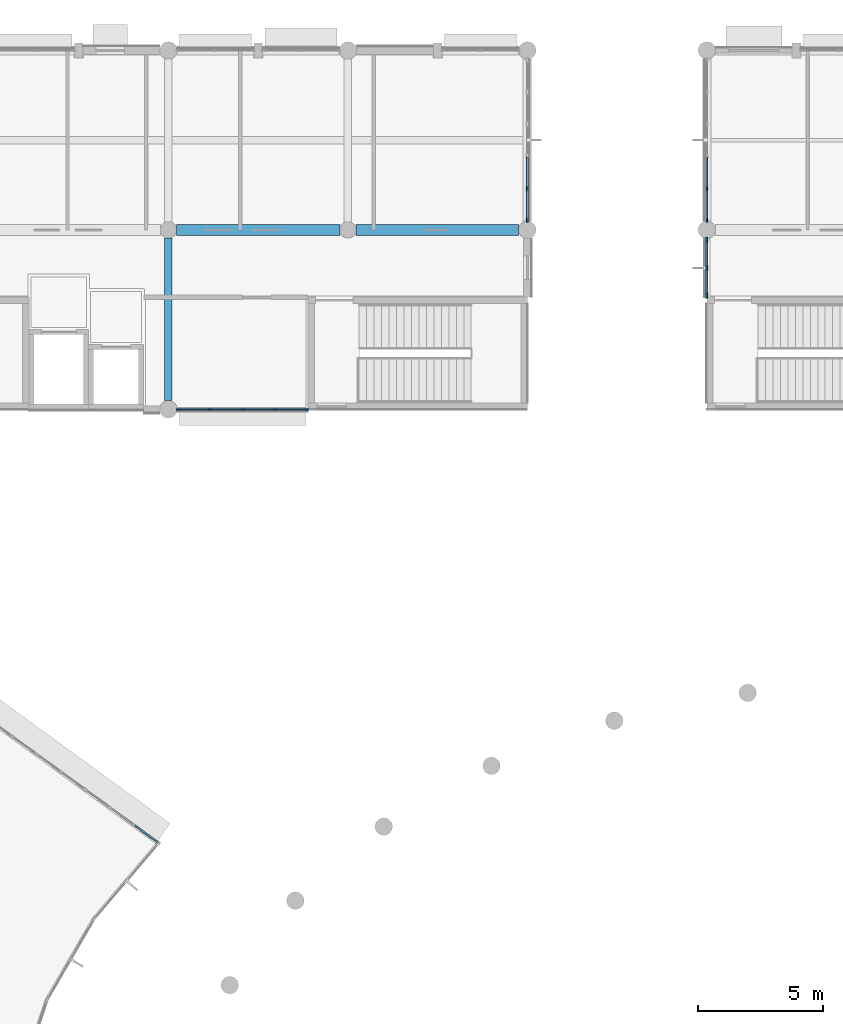
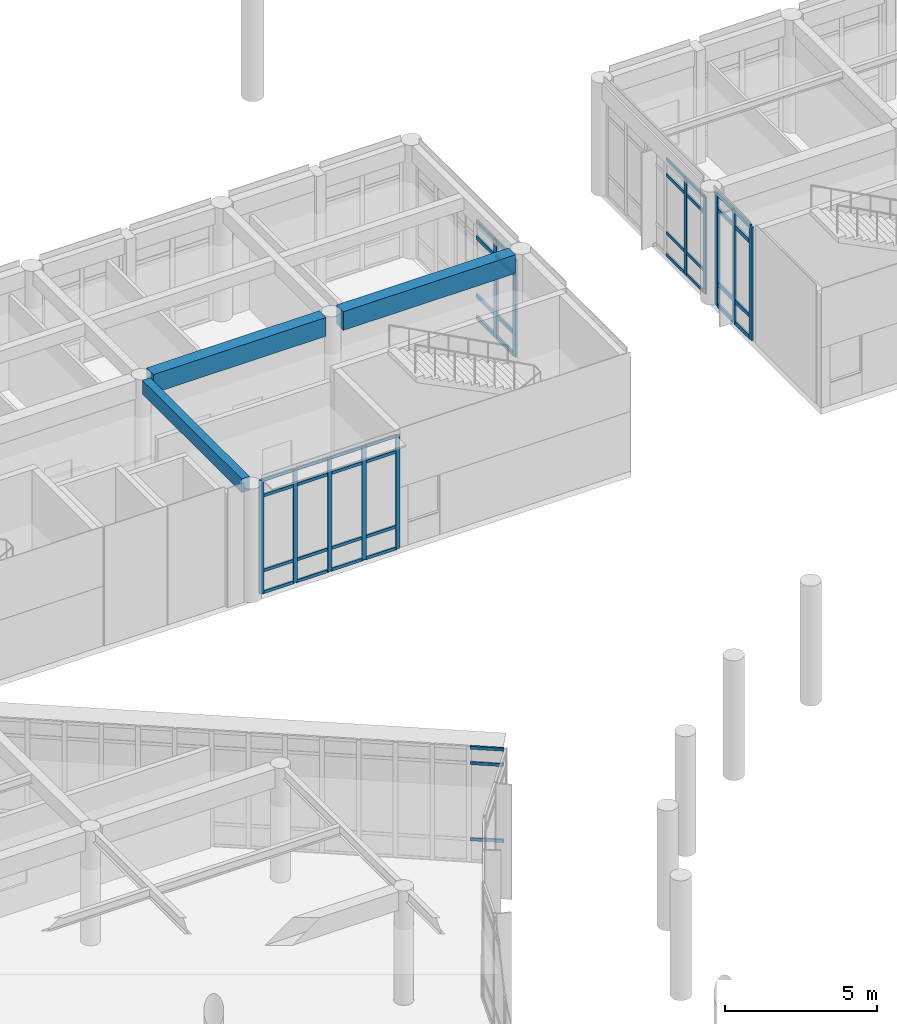
# One storey, part 23 of 92: 55 members, 3 beams, 5 elements without a shape of their own.
"""IFC4 building model written with IfcOpenShell, lengths in metres."""

import ifcopenshell
import ifcopenshell.guid

model = None  # the IFC model being written
_history = None  # IfcOwnerHistory: only IFC2X3 demands one
_inside = {}  # id of a spatial element -> (the spatial element, [elements in it])
_under = {}  # id of a project, library or spatial element -> (it, [spatial elements below it])
_declared = {}  # id of a project -> (the project, [libraries it declares])
_typed = {}  # id of a type object -> (the type object, [elements of that type])
_made_of = {}  # id of a material, layer set ... -> (it, [elements and type objects made of it])


def new_model(schema):
    """Start an empty IFC model of exactly this schema.

    Asked for "IFC4X3", IfcOpenShell would pick the latest addendum, in which some entities
    have other attributes; the version numbers below select the first issue.
    IFC2X3 requires an IfcOwnerHistory on every rooted entity: one is made here for all.
    """
    global model, _history
    if schema == "IFC4X3":
        model = ifcopenshell.file(schema_version=(4, 3, 0, 0))
    else:
        model = ifcopenshell.file(schema=schema)
    _inside.clear()
    _under.clear()
    _declared.clear()
    _typed.clear()
    _made_of.clear()
    _history = None
    if model.schema == "IFC2X3":
        org = make("IfcOrganization", Name="unknown")
        user = make(
            "IfcPersonAndOrganization",
            ThePerson=make("IfcPerson", FamilyName="unknown"),
            TheOrganization=org,
        )
        app = make(
            "IfcApplication",
            ApplicationDeveloper=org,
            Version="unknown",
            ApplicationFullName="unknown",
            ApplicationIdentifier="unknown",
        )
        _history = make(
            "IfcOwnerHistory",
            OwningUser=user,
            OwningApplication=app,
            ChangeAction="ADDED",
            CreationDate=0,
        )
    return model


def make(cls, **values):
    """One entity of the class cls with the attributes given. An attribute that is None is left unset."""
    return model.create_entity(
        cls, **{name: value for name, value in values.items() if value is not None}
    )


def rooted(cls, **values):
    """An entity with a GlobalId (a new one), such as an element, a storey or a relation."""
    return make(cls, GlobalId=ifcopenshell.guid.new(), OwnerHistory=_history, **values)


def si_unit(unit_type, name, prefix=None):
    """IfcSIUnit, for example si_unit("LENGTHUNIT", "METRE", prefix="MILLI")."""
    return make("IfcSIUnit", UnitType=unit_type, Prefix=prefix, Name=name)


def assignment(units):
    """IfcUnitAssignment: the units of a project."""
    return None if units is None else make("IfcUnitAssignment", Units=units)


def point(xyz):
    """IfcCartesianPoint."""
    return None if xyz is None else make("IfcCartesianPoint", Coordinates=xyz)


def direction(xyz):
    """IfcDirection."""
    return None if xyz is None else make("IfcDirection", DirectionRatios=xyz)


def frame(location, z_axis=None, x_axis=None):
    """IfcAxis2Placement3D, a coordinate frame: its origin and axes. An axis left out is left unset."""
    return make(
        "IfcAxis2Placement3D",
        Location=point(location),
        Axis=direction(z_axis),
        RefDirection=direction(x_axis),
    )


def frame_2d(location, x_axis=None):
    """IfcAxis2Placement2D, a coordinate frame in the plane: its origin and x axis."""
    return make(
        "IfcAxis2Placement2D", Location=point(location), RefDirection=direction(x_axis)
    )


def origin():
    """The frame at (0, 0, 0) with its axes left unset."""
    return frame((0.0, 0.0, 0.0))


def origin_2d():
    """The frame at (0, 0) in the plane with its x axis left unset."""
    return frame_2d((0.0, 0.0))


def place(relative_to, where):
    """IfcLocalPlacement: puts the frame where relative to a parent placement (None: the world)."""
    return make(
        "IfcLocalPlacement", PlacementRelTo=relative_to, RelativePlacement=where
    )


def context(
    kind, dimensions, precision=None, world=None, true_north=None, identifier=None
):
    """IfcGeometricRepresentationContext, for example the 3D "Model" context."""
    return make(
        "IfcGeometricRepresentationContext",
        ContextIdentifier=identifier,
        ContextType=kind,
        CoordinateSpaceDimension=dimensions,
        Precision=precision,
        WorldCoordinateSystem=world,
        TrueNorth=true_north,
    )


def subcontext(parent, identifier, kind, view, scale=None):
    """IfcGeometricRepresentationSubContext, for example "Body" below "Model"."""
    return make(
        "IfcGeometricRepresentationSubContext",
        ContextIdentifier=identifier,
        ContextType=kind,
        ParentContext=parent,
        TargetScale=scale,
        TargetView=view,
    )


def project(units=None, contexts=None):
    """IfcProject with its units and contexts."""
    return rooted(
        "IfcProject",
        Name="project",
        RepresentationContexts=contexts,
        UnitsInContext=assignment(units),
    )


def spatial(cls, under=None, at=None, **own):
    """A site, building, storey or space (cls), placed at a placement, below another one or the project."""
    s = rooted(cls, ObjectPlacement=at, **own)
    if under is not None:
        _under.setdefault(under.id(), (under, []))[1].append(s)
    return s


def profile(cls, at=None, kind="AREA", **sizes):
    """A parametric profile (cls). Its sizes go by their IFC names, for example OverallWidth=200.0."""
    return make(cls, ProfileType=kind, Position=at, **sizes)


def rectangle(**sizes):
    """IfcRectangleProfileDef."""
    return profile("IfcRectangleProfileDef", **sizes)


def extrude(swept, where, along, depth):
    """IfcExtrudedAreaSolid: the profile swept, set in the frame where, extruded along a direction by depth."""
    return make(
        "IfcExtrudedAreaSolid",
        SweptArea=swept,
        Position=where,
        ExtrudedDirection=direction(along),
        Depth=depth,
    )


def shape(context_of_items, identifier, shape_type, items):
    """IfcShapeRepresentation: the items that make up one representation, for example the "Body"."""
    return make(
        "IfcShapeRepresentation",
        ContextOfItems=context_of_items,
        RepresentationIdentifier=identifier,
        RepresentationType=shape_type,
        Items=items,
    )


def material(Name=None, Category=None):
    """IfcMaterial."""
    return make("IfcMaterial", Name=Name, Category=Category)


def layer(
    of_material, thickness, ventilated=None, Name=None, Category=None, Priority=None
):
    """IfcMaterialLayer: one layer of a wall or slab, of a material (None: an air gap)."""
    return make(
        "IfcMaterialLayer",
        Material=of_material,
        LayerThickness=thickness,
        IsVentilated=ventilated,
        Name=Name,
        Category=Category,
        Priority=Priority,
    )


def layer_set(layers, Name=None):
    """IfcMaterialLayerSet."""
    return make("IfcMaterialLayerSet", MaterialLayers=layers, LayerSetName=Name)


def material_profile(
    of_material, cross_section, Name=None, Category=None, Priority=None
):
    """IfcMaterialProfile: a cross section and its material."""
    return make(
        "IfcMaterialProfile",
        Name=Name,
        Material=of_material,
        Profile=cross_section,
        Priority=Priority,
        Category=Category,
    )


def profile_set(profiles, Name=None, composite=None):
    """IfcMaterialProfileSet."""
    return make(
        "IfcMaterialProfileSet",
        Name=Name,
        MaterialProfiles=profiles,
        CompositeProfile=composite,
    )


def made_of(thing, what):
    """Note that an element or type object is made of a material, layer set ...; save() writes the relation."""
    if what is not None:
        _made_of.setdefault(what.id(), (what, []))[1].append(thing)
    return thing


def type_object(cls, material=None, **own):
    """A type object (cls), such as IfcWallType, which elements share."""
    return made_of(rooted(cls, **own), material)


def element(
    cls,
    number,
    at=None,
    inside=None,
    cuts=None,
    type_object=None,
    material=None,
    context=None,
    identifier="Body",
    shape_type=None,
    held_by="IfcProductDefinitionShape",
    body=None,
    shapes=None,
    **own,
):
    """One element of the class cls, such as IfcWall. Its Tag is "e" and its number.

    at: its placement. inside: the storey or other place that contains it. cuts: it is an
    opening in that element (IfcRelVoidsElement). A single representation is given by context,
    identifier, shape_type and body (its items); several are given by shapes. held_by: the class
    of the entity that holds the representations. save() writes the other relations.
    """
    e = rooted(cls, Tag="e%d" % number, ObjectPlacement=at, **own)
    if body is not None:
        shapes = [shape(context, identifier, shape_type, body)]
    if shapes is not None:
        e.Representation = make(held_by, Representations=shapes)
    if inside is not None:
        _inside.setdefault(inside.id(), (inside, []))[1].append(e)
    if cuts is not None:
        rooted(
            "IfcRelVoidsElement", RelatingBuildingElement=cuts, RelatedOpeningElement=e
        )
    if type_object is not None:
        _typed.setdefault(type_object.id(), (type_object, []))[1].append(e)
    return made_of(e, material)


def aggregate(whole, parts):
    """IfcRelAggregates: a whole, such as a stair, and the parts it consists of."""
    return rooted("IfcRelAggregates", RelatingObject=whole, RelatedObjects=parts)


def save(model, path):
    """Write the relations noted so far, then the file.

    IfcRelAggregates (storeys below a building ...), IfcRelContainedInSpatialStructure (elements
    in a storey), IfcRelDefinesByType, IfcRelAssociatesMaterial and IfcRelDeclares: one each for
    every whole, place, type object, material and project.
    """
    for whole, parts in _under.values():
        aggregate(whole, parts)
    for where, things in _inside.values():
        rooted(
            "IfcRelContainedInSpatialStructure",
            RelatedElements=things,
            RelatingStructure=where,
        )
    for kind, things in _typed.values():
        rooted("IfcRelDefinesByType", RelatedObjects=things, RelatingType=kind)
    for what, things in _made_of.values():
        rooted("IfcRelAssociatesMaterial", RelatedObjects=things, RelatingMaterial=what)
    for by, libraries in _declared.values():
        rooted("IfcRelDeclares", RelatingContext=by, RelatedDefinitions=libraries)
    model.write(path)


model = new_model("IFC4")

# Units and contexts
model_context = context("Model", 3, precision=1e-05, world=origin(), true_north=direction((0.0, 1.0)))
body_context = subcontext(model_context, "Body", "Model", "MODEL_VIEW")
ifc_project = project(units=[si_unit("LENGTHUNIT", "METRE"), si_unit("AREAUNIT", "SQUARE_METRE"), si_unit("VOLUMEUNIT", "CUBIC_METRE"), si_unit("PLANEANGLEUNIT", "RADIAN"), si_unit("MASSUNIT", "GRAM", prefix="KILO")], contexts=[model_context])

# Site, building, storey
site_placement = place(None, origin())
site = spatial("IfcSite", under=ifc_project, at=site_placement, CompositionType="ELEMENT")
building_placement = place(site_placement, origin())
building = spatial("IfcBuilding", under=site, at=building_placement, Name="Namkhue Oval Health Centre", CompositionType="ELEMENT")
storey_placement = place(building_placement, frame((0.0, 0.0, 4.800048828125)))
storey = spatial("IfcBuildingStorey", under=building, at=storey_placement, Name="L01", CompositionType="ELEMENT", Elevation=4.800048828125)

# Curtain wall, members
ifc_material_1 = material(Name="Anodised aluminium EN AW-6063 T6", Category="aluminium")
ifc_layer_1 = layer(ifc_material_1, 0.159912109375)
ifc_layer_set_1 = layer_set([ifc_layer_1], Name="Anodised aluminium EN AW-6063 T6")
curtain_wall_type_1 = type_object("IfcCurtainWallType", Name="UNITISED CURTAIN WALL M1200", PredefinedType="NOTDEFINED", material=ifc_layer_set_1)
curtain_wall_1_placement = place(storey_placement, origin())
curtain_wall_1 = element("IfcCurtainWall", 1, at=curtain_wall_1_placement, inside=storey, type_object=curtain_wall_type_1, Name="Volume V2 L01 Unitised Curtain Wall 49", PredefinedType="NOTDEFINED")
ifc_material_profile_1 = material_profile(ifc_material_1, rectangle(XDim=0.06494140625, YDim=0.159912109375, at=origin_2d()), Name="ALU 65x160")
ifc_profile_set_1 = profile_set([ifc_material_profile_1], Name="Anodised aluminium EN AW-6063 T6")
member_type_1 = type_object("IfcMemberType", Name="CURTAIN WALL MULLION 65X160", PredefinedType="MULLION", material=ifc_profile_set_1)
member_1_placement = place(storey_placement, frame((72.392578125, 90.0, 0.0), z_axis=(0.0, 0.0, 1.0), x_axis=(0.0, 1.0, 0.0)))
member_1 = element("IfcMember", 2, at=member_1_placement, type_object=member_type_1, Name="CW-01 mullion 1", PredefinedType="MULLION", context=body_context, shape_type="SweptSolid", body=[
    extrude(rectangle(XDim=0.06494140625, YDim=0.159912109375, at=origin_2d()), origin(), (0.0, 0.0, 1.0), 4.554931640625),
])
member_2_placement = place(storey_placement, frame((73.665771484375, 90.0, 0.0), z_axis=(0.0, 0.0, 1.0), x_axis=(0.0, 1.0, 0.0)))
member_2 = element("IfcMember", 3, at=member_2_placement, type_object=member_type_1, Name="CW-01 mullion 2", PredefinedType="MULLION", context=body_context, shape_type="SweptSolid", body=[
    extrude(rectangle(XDim=0.06494140625, YDim=0.159912109375, at=origin_2d()), origin(), (0.0, 0.0, 1.0), 4.554931640625),
])
member_3_placement = place(storey_placement, frame((74.971435546875, 90.0, 0.0), z_axis=(0.0, 0.0, 1.0), x_axis=(0.0, 1.0, 0.0)))
member_3 = element("IfcMember", 4, at=member_3_placement, type_object=member_type_1, Name="CW-01 mullion 3", PredefinedType="MULLION", context=body_context, shape_type="SweptSolid", body=[
    extrude(rectangle(XDim=0.06494140625, YDim=0.159912109375, at=origin_2d()), origin(), (0.0, 0.0, 1.0), 4.554931640625),
])
member_4_placement = place(storey_placement, frame((76.27734375, 90.0, 0.0), z_axis=(0.0, 0.0, 1.0), x_axis=(0.0, 1.0, 0.0)))
member_4 = element("IfcMember", 5, at=member_4_placement, type_object=member_type_1, Name="CW-01 mullion 4", PredefinedType="MULLION", context=body_context, shape_type="SweptSolid", body=[
    extrude(rectangle(XDim=0.06494140625, YDim=0.159912109375, at=origin_2d()), origin(), (0.0, 0.0, 1.0), 4.554931640625),
])
member_5_placement = place(storey_placement, frame((77.550537109375, 90.0, 0.0), z_axis=(0.0, 0.0, 1.0), x_axis=(0.0, 1.0, 0.0)))
member_5 = element("IfcMember", 6, at=member_5_placement, type_object=member_type_1, Name="CW-01 mullion 5", PredefinedType="MULLION", context=body_context, shape_type="SweptSolid", body=[
    extrude(rectangle(XDim=0.06494140625, YDim=0.159912109375, at=origin_2d()), origin(), (0.0, 0.0, 1.0), 4.554931640625),
])

curtain_wall_2_placement = place(storey_placement, origin())
curtain_wall_2 = element("IfcCurtainWall", 7, at=curtain_wall_2_placement, inside=storey, type_object=curtain_wall_type_1, Name="Volume V3 L01 Unitised Curtain Wall 109", PredefinedType="NOTDEFINED")
member_6_placement = place(storey_placement, frame((93.60009765625, 98.85595703125, 0.0), z_axis=(0.0, 0.0, 1.0), x_axis=(1.0, 0.0, 0.0)))
member_6 = element("IfcMember", 8, at=member_6_placement, type_object=member_type_1, Name="CW-01 mullion 5", PredefinedType="MULLION", context=body_context, shape_type="SweptSolid", body=[
    extrude(rectangle(XDim=0.06494140625, YDim=0.159912109375, at=origin_2d()), origin(), (0.0, 0.0, 1.0), 3.8798828125),
])
member_7_placement = place(storey_placement, frame((93.60009765625, 97.592529296875, 0.0), z_axis=(0.0, 0.0, 1.0), x_axis=(1.0, 0.0, 0.0)))
member_7 = element("IfcMember", 9, at=member_7_placement, type_object=member_type_1, Name="CW-01 mullion 6", PredefinedType="MULLION", context=body_context, shape_type="SweptSolid", body=[
    extrude(rectangle(XDim=0.06494140625, YDim=0.159912109375, at=origin_2d()), origin(), (0.0, 0.0, 1.0), 3.8798828125),
])

ifc_layer_2 = layer(ifc_material_1, 0.159912109375)
ifc_layer_set_2 = layer_set([ifc_layer_2], Name="Anodised aluminium EN AW-6063 T6")
curtain_wall_type_2 = type_object("IfcCurtainWallType", Name="UNITISED CURTAIN WALL M1350", PredefinedType="NOTDEFINED", material=ifc_layer_set_2)
curtain_wall_3_placement = place(storey_placement, origin())
curtain_wall_3 = element("IfcCurtainWall", 10, at=curtain_wall_3_placement, inside=storey, type_object=curtain_wall_type_2, Name="Volume V2 L01 Unitised Curtain Wall 50", PredefinedType="NOTDEFINED")
ifc_material_profile_2 = material_profile(ifc_material_1, rectangle(XDim=0.074951171875, YDim=0.199951171875, at=origin_2d()), Name="ALU 75x200")
ifc_profile_set_2 = profile_set([ifc_material_profile_2], Name="Anodised aluminium EN AW-6063 T6")
member_type_2 = type_object("IfcMemberType", Name="CURTAIN WALL MULLION 75X200", PredefinedType="MULLION", material=ifc_profile_set_2)
member_8_placement = place(storey_placement, frame((86.39990234375, 97.597412109375, 0.0), z_axis=(0.0, 0.0, 1.0), x_axis=(-1.0, 0.0, 0.0)))
member_8 = element("IfcMember", 11, at=member_8_placement, type_object=member_type_2, Name="CW-02 mullion 1", PredefinedType="MULLION", context=body_context, shape_type="SweptSolid", body=[
    extrude(rectangle(XDim=0.074951171875, YDim=0.199951171875, at=origin_2d()), origin(), (0.0, 0.0, 1.0), 3.905029296875),
])
member_9_placement = place(storey_placement, frame((86.39990234375, 98.85595703125, 0.0), z_axis=(0.0, 0.0, 1.0), x_axis=(-1.0, 0.0, 0.0)))
member_9 = element("IfcMember", 12, at=member_9_placement, type_object=member_type_2, Name="CW-02 mullion 2", PredefinedType="MULLION", context=body_context, shape_type="SweptSolid", body=[
    extrude(rectangle(XDim=0.074951171875, YDim=0.199951171875, at=origin_2d()), origin(), (0.0, 0.0, 1.0), 3.905029296875),
])

curtain_wall_4_placement = place(storey_placement, origin())
curtain_wall_4 = element("IfcCurtainWall", 13, at=curtain_wall_4_placement, inside=storey, type_object=curtain_wall_type_2, Name="Volume V3 L01 Unitised Curtain Wall 110", PredefinedType="NOTDEFINED")
member_10_placement = place(storey_placement, frame((93.60009765625, 96.802490234375, 0.0), z_axis=(0.0, 0.0, 1.0), x_axis=(1.0, 0.0, 0.0)))
member_10 = element("IfcMember", 14, at=member_10_placement, type_object=member_type_2, Name="CW-02 mullion 1", PredefinedType="MULLION", context=body_context, shape_type="SweptSolid", body=[
    extrude(rectangle(XDim=0.074951171875, YDim=0.199951171875, at=origin_2d()), origin(), (0.0, 0.0, 1.0), 4.530029296875),
])
member_11_placement = place(storey_placement, frame((93.60009765625, 95.678466796875, 0.0), z_axis=(0.0, 0.0, 1.0), x_axis=(1.0, 0.0, 0.0)))
member_11 = element("IfcMember", 15, at=member_11_placement, type_object=member_type_2, Name="CW-02 mullion 2", PredefinedType="MULLION", context=body_context, shape_type="SweptSolid", body=[
    extrude(rectangle(XDim=0.074951171875, YDim=0.199951171875, at=origin_2d()), origin(), (0.0, 0.0, 1.0), 4.530029296875),
])
member_12_placement = place(storey_placement, frame((93.60009765625, 94.554443359375, 0.0), z_axis=(0.0, 0.0, 1.0), x_axis=(1.0, 0.0, 0.0)))
member_12 = element("IfcMember", 16, at=member_12_placement, type_object=member_type_2, Name="CW-02 mullion 3", PredefinedType="MULLION", context=body_context, shape_type="SweptSolid", body=[
    extrude(rectangle(XDim=0.074951171875, YDim=0.199951171875, at=origin_2d()), origin(), (0.0, 0.0, 1.0), 4.530029296875),
])

curtain_wall_5_placement = place(storey_placement, origin())
curtain_wall_5 = element("IfcCurtainWall", 17, at=curtain_wall_5_placement, inside=storey, type_object=curtain_wall_type_1, Name="Volume V1 L01 Unitised Curtain Wall 31", PredefinedType="NOTDEFINED")
ifc_material_profile_3 = material_profile(ifc_material_1, rectangle(XDim=0.06494140625, YDim=0.1201171875, at=origin_2d()), Name="ALU 65x120")
ifc_profile_set_3 = profile_set([ifc_material_profile_3], Name="Anodised aluminium EN AW-6063 T6")
member_type_3 = type_object("IfcMemberType", Name="CURTAIN WALL TRANSOM 65X120", PredefinedType="USERDEFINED", material=ifc_profile_set_3)
member_13_placement = place(storey_placement, frame((71.5654296875, 72.63525390625, 0.89990234375), z_axis=(-0.80854699579, 0.58843160656, 0.0), x_axis=(-0.58843160656, -0.80854699579, 0.0)))
member_13 = element("IfcMember", 18, at=member_13_placement, type_object=member_type_3, Name="CW-01 transom 1.2", ObjectType="TRANSOM", PredefinedType="USERDEFINED", context=body_context, shape_type="SweptSolid", body=[
    extrude(rectangle(XDim=0.06494140625, YDim=0.1201171875, at=origin_2d()), origin(), (0.0, 0.0, 1.0), 1.116943359375),
])
member_14_placement = place(storey_placement, frame((71.5654296875, 72.63525390625, 3.949951171875), z_axis=(-0.80854699579, 0.58843160656, 0.0), x_axis=(-0.58843160656, -0.80854699579, 0.0)))
member_14 = element("IfcMember", 19, at=member_14_placement, type_object=member_type_3, Name="CW-01 transom 1.3", ObjectType="TRANSOM", PredefinedType="USERDEFINED", context=body_context, shape_type="SweptSolid", body=[
    extrude(rectangle(XDim=0.06494140625, YDim=0.1201171875, at=origin_2d()), origin(), (0.0, 0.0, 1.0), 1.116943359375),
])
member_15_placement = place(storey_placement, frame((71.5654296875, 72.63525390625, 4.5673828125), z_axis=(-0.80854699579, 0.58843160656, 0.0), x_axis=(-0.58843160656, -0.80854699579, 0.0)))
member_15 = element("IfcMember", 20, at=member_15_placement, type_object=member_type_3, Name="CW-01 transom 1.4", ObjectType="TRANSOM", PredefinedType="USERDEFINED", context=body_context, shape_type="SweptSolid", body=[
    extrude(rectangle(XDim=0.06494140625, YDim=0.1201171875, at=origin_2d()), origin(), (0.0, 0.0, 1.0), 1.116943359375),
])
aggregate(curtain_wall_5, [member_13, member_14, member_15])

# Member
member_16_placement = place(storey_placement, frame((72.425048828125, 90.0, 0.032470703125), z_axis=(1.0, 0.0, 0.0), x_axis=(0.0, 1.0, 0.0)))
member_16 = element("IfcMember", 21, at=member_16_placement, type_object=member_type_3, Name="CW-01 transom 1.1", ObjectType="TRANSOM", PredefinedType="USERDEFINED", context=body_context, shape_type="SweptSolid", body=[
    extrude(rectangle(XDim=0.06494140625, YDim=0.1201171875, at=origin_2d()), origin(), (0.0, 0.0, 1.0), 1.208251953125),
])

member_17_placement = place(storey_placement, frame((72.425048828125, 90.0, 0.89990234375), z_axis=(1.0, 0.0, 0.0), x_axis=(0.0, 1.0, 0.0)))
member_17 = element("IfcMember", 22, at=member_17_placement, type_object=member_type_3, Name="CW-01 transom 1.2", ObjectType="TRANSOM", PredefinedType="USERDEFINED", context=body_context, shape_type="SweptSolid", body=[
    extrude(rectangle(XDim=0.06494140625, YDim=0.1201171875, at=origin_2d()), origin(), (0.0, 0.0, 1.0), 1.208251953125),
])

member_18_placement = place(storey_placement, frame((72.425048828125, 90.0, 3.905029296875), z_axis=(1.0, 0.0, 0.0), x_axis=(0.0, 1.0, 0.0)))
member_18 = element("IfcMember", 23, at=member_18_placement, type_object=member_type_3, Name="CW-01 transom 1.3", ObjectType="TRANSOM", PredefinedType="USERDEFINED", context=body_context, shape_type="SweptSolid", body=[
    extrude(rectangle(XDim=0.06494140625, YDim=0.1201171875, at=origin_2d()), origin(), (0.0, 0.0, 1.0), 1.208251953125),
])

member_19_placement = place(storey_placement, frame((72.425048828125, 90.0, 4.5224609375), z_axis=(1.0, 0.0, 0.0), x_axis=(0.0, 1.0, 0.0)))
member_19 = element("IfcMember", 24, at=member_19_placement, type_object=member_type_3, Name="CW-01 transom 1.4", ObjectType="TRANSOM", PredefinedType="USERDEFINED", context=body_context, shape_type="SweptSolid", body=[
    extrude(rectangle(XDim=0.06494140625, YDim=0.1201171875, at=origin_2d()), origin(), (0.0, 0.0, 1.0), 1.208251953125),
])

member_20_placement = place(storey_placement, frame((73.6982421875, 90.0, 0.032470703125), z_axis=(1.0, 0.0, 0.0), x_axis=(0.0, 1.0, 0.0)))
member_20 = element("IfcMember", 25, at=member_20_placement, type_object=member_type_3, Name="CW-01 transom 2.1", ObjectType="TRANSOM", PredefinedType="USERDEFINED", context=body_context, shape_type="SweptSolid", body=[
    extrude(rectangle(XDim=0.06494140625, YDim=0.1201171875, at=origin_2d()), origin(), (0.0, 0.0, 1.0), 1.24072265625),
])

member_21_placement = place(storey_placement, frame((73.6982421875, 90.0, 0.89990234375), z_axis=(1.0, 0.0, 0.0), x_axis=(0.0, 1.0, 0.0)))
member_21 = element("IfcMember", 26, at=member_21_placement, type_object=member_type_3, Name="CW-01 transom 2.2", ObjectType="TRANSOM", PredefinedType="USERDEFINED", context=body_context, shape_type="SweptSolid", body=[
    extrude(rectangle(XDim=0.06494140625, YDim=0.1201171875, at=origin_2d()), origin(), (0.0, 0.0, 1.0), 1.24072265625),
])

member_22_placement = place(storey_placement, frame((73.6982421875, 90.0, 3.905029296875), z_axis=(1.0, 0.0, 0.0), x_axis=(0.0, 1.0, 0.0)))
member_22 = element("IfcMember", 27, at=member_22_placement, type_object=member_type_3, Name="CW-01 transom 2.3", ObjectType="TRANSOM", PredefinedType="USERDEFINED", context=body_context, shape_type="SweptSolid", body=[
    extrude(rectangle(XDim=0.06494140625, YDim=0.1201171875, at=origin_2d()), origin(), (0.0, 0.0, 1.0), 1.24072265625),
])

member_23_placement = place(storey_placement, frame((73.6982421875, 90.0, 4.5224609375), z_axis=(1.0, 0.0, 0.0), x_axis=(0.0, 1.0, 0.0)))
member_23 = element("IfcMember", 28, at=member_23_placement, type_object=member_type_3, Name="CW-01 transom 2.4", ObjectType="TRANSOM", PredefinedType="USERDEFINED", context=body_context, shape_type="SweptSolid", body=[
    extrude(rectangle(XDim=0.06494140625, YDim=0.1201171875, at=origin_2d()), origin(), (0.0, 0.0, 1.0), 1.24072265625),
])

member_24_placement = place(storey_placement, frame((75.00390625, 90.0, 0.032470703125), z_axis=(1.0, 0.0, 0.0), x_axis=(0.0, 1.0, 0.0)))
member_24 = element("IfcMember", 29, at=member_24_placement, type_object=member_type_3, Name="CW-01 transom 3.1", ObjectType="TRANSOM", PredefinedType="USERDEFINED", context=body_context, shape_type="SweptSolid", body=[
    extrude(rectangle(XDim=0.06494140625, YDim=0.1201171875, at=origin_2d()), origin(), (0.0, 0.0, 1.0), 1.24072265625),
])

member_25_placement = place(storey_placement, frame((75.00390625, 90.0, 0.89990234375), z_axis=(1.0, 0.0, 0.0), x_axis=(0.0, 1.0, 0.0)))
member_25 = element("IfcMember", 30, at=member_25_placement, type_object=member_type_3, Name="CW-01 transom 3.2", ObjectType="TRANSOM", PredefinedType="USERDEFINED", context=body_context, shape_type="SweptSolid", body=[
    extrude(rectangle(XDim=0.06494140625, YDim=0.1201171875, at=origin_2d()), origin(), (0.0, 0.0, 1.0), 1.24072265625),
])

member_26_placement = place(storey_placement, frame((75.00390625, 90.0, 3.905029296875), z_axis=(1.0, 0.0, 0.0), x_axis=(0.0, 1.0, 0.0)))
member_26 = element("IfcMember", 31, at=member_26_placement, type_object=member_type_3, Name="CW-01 transom 3.3", ObjectType="TRANSOM", PredefinedType="USERDEFINED", context=body_context, shape_type="SweptSolid", body=[
    extrude(rectangle(XDim=0.06494140625, YDim=0.1201171875, at=origin_2d()), origin(), (0.0, 0.0, 1.0), 1.24072265625),
])

member_27_placement = place(storey_placement, frame((75.00390625, 90.0, 4.5224609375), z_axis=(1.0, 0.0, 0.0), x_axis=(0.0, 1.0, 0.0)))
member_27 = element("IfcMember", 32, at=member_27_placement, type_object=member_type_3, Name="CW-01 transom 3.4", ObjectType="TRANSOM", PredefinedType="USERDEFINED", context=body_context, shape_type="SweptSolid", body=[
    extrude(rectangle(XDim=0.06494140625, YDim=0.1201171875, at=origin_2d()), origin(), (0.0, 0.0, 1.0), 1.24072265625),
])

member_28_placement = place(storey_placement, frame((76.309814453125, 90.0, 0.032470703125), z_axis=(1.0, 0.0, 0.0), x_axis=(0.0, 1.0, 0.0)))
member_28 = element("IfcMember", 33, at=member_28_placement, type_object=member_type_3, Name="CW-01 transom 4.1", ObjectType="TRANSOM", PredefinedType="USERDEFINED", context=body_context, shape_type="SweptSolid", body=[
    extrude(rectangle(XDim=0.06494140625, YDim=0.1201171875, at=origin_2d()), origin(), (0.0, 0.0, 1.0), 1.208251953125),
])

member_29_placement = place(storey_placement, frame((76.309814453125, 90.0, 0.89990234375), z_axis=(1.0, 0.0, 0.0), x_axis=(0.0, 1.0, 0.0)))
member_29 = element("IfcMember", 34, at=member_29_placement, type_object=member_type_3, Name="CW-01 transom 4.2", ObjectType="TRANSOM", PredefinedType="USERDEFINED", context=body_context, shape_type="SweptSolid", body=[
    extrude(rectangle(XDim=0.06494140625, YDim=0.1201171875, at=origin_2d()), origin(), (0.0, 0.0, 1.0), 1.208251953125),
])

member_30_placement = place(storey_placement, frame((76.309814453125, 90.0, 3.905029296875), z_axis=(1.0, 0.0, 0.0), x_axis=(0.0, 1.0, 0.0)))
member_30 = element("IfcMember", 35, at=member_30_placement, type_object=member_type_3, Name="CW-01 transom 4.3", ObjectType="TRANSOM", PredefinedType="USERDEFINED", context=body_context, shape_type="SweptSolid", body=[
    extrude(rectangle(XDim=0.06494140625, YDim=0.1201171875, at=origin_2d()), origin(), (0.0, 0.0, 1.0), 1.208251953125),
])

member_31_placement = place(storey_placement, frame((76.309814453125, 90.0, 4.5224609375), z_axis=(1.0, 0.0, 0.0), x_axis=(0.0, 1.0, 0.0)))
member_31 = element("IfcMember", 36, at=member_31_placement, type_object=member_type_3, Name="CW-01 transom 4.4", ObjectType="TRANSOM", PredefinedType="USERDEFINED", context=body_context, shape_type="SweptSolid", body=[
    extrude(rectangle(XDim=0.06494140625, YDim=0.1201171875, at=origin_2d()), origin(), (0.0, 0.0, 1.0), 1.208251953125),
])

aggregate(curtain_wall_1, [member_1, member_2, member_3, member_4, member_5, member_16, member_17, member_18, member_19, member_20, member_21, member_22, member_23, member_24, member_25, member_26, member_27, member_28, member_29, member_30, member_31])

member_32_placement = place(storey_placement, frame((93.60009765625, 100.119384765625, 0.032470703125), z_axis=(0.0, -1.0, 0.0), x_axis=(1.0, 0.0, 0.0)))
member_32 = element("IfcMember", 37, at=member_32_placement, type_object=member_type_3, Name="CW-01 transom 4.1", ObjectType="TRANSOM", PredefinedType="USERDEFINED", context=body_context, shape_type="SweptSolid", body=[
    extrude(rectangle(XDim=0.06494140625, YDim=0.1201171875, at=origin_2d()), origin(), (0.0, 0.0, 1.0), 1.23095703125),
])

member_33_placement = place(storey_placement, frame((93.60009765625, 100.119384765625, 0.89990234375), z_axis=(0.0, -1.0, 0.0), x_axis=(1.0, 0.0, 0.0)))
member_33 = element("IfcMember", 38, at=member_33_placement, type_object=member_type_3, Name="CW-01 transom 4.2", ObjectType="TRANSOM", PredefinedType="USERDEFINED", context=body_context, shape_type="SweptSolid", body=[
    extrude(rectangle(XDim=0.06494140625, YDim=0.1201171875, at=origin_2d()), origin(), (0.0, 0.0, 1.0), 1.23095703125),
])

member_34_placement = place(storey_placement, frame((93.60009765625, 100.119384765625, 3.22998046875), z_axis=(0.0, -1.0, 0.0), x_axis=(1.0, 0.0, 0.0)))
member_34 = element("IfcMember", 39, at=member_34_placement, type_object=member_type_3, Name="CW-01 transom 4.3", ObjectType="TRANSOM", PredefinedType="USERDEFINED", context=body_context, shape_type="SweptSolid", body=[
    extrude(rectangle(XDim=0.06494140625, YDim=0.1201171875, at=origin_2d()), origin(), (0.0, 0.0, 1.0), 1.23095703125),
])

member_35_placement = place(storey_placement, frame((93.60009765625, 100.119384765625, 3.847412109375), z_axis=(0.0, -1.0, 0.0), x_axis=(1.0, 0.0, 0.0)))
member_35 = element("IfcMember", 40, at=member_35_placement, type_object=member_type_3, Name="CW-01 transom 4.4", ObjectType="TRANSOM", PredefinedType="USERDEFINED", context=body_context, shape_type="SweptSolid", body=[
    extrude(rectangle(XDim=0.06494140625, YDim=0.1201171875, at=origin_2d()), origin(), (0.0, 0.0, 1.0), 1.23095703125),
])

member_36_placement = place(storey_placement, frame((93.60009765625, 98.823486328125, 0.032470703125), z_axis=(0.0, -1.0, 0.0), x_axis=(1.0, 0.0, 0.0)))
member_36 = element("IfcMember", 41, at=member_36_placement, type_object=member_type_3, Name="CW-01 transom 5.1", ObjectType="TRANSOM", PredefinedType="USERDEFINED", context=body_context, shape_type="SweptSolid", body=[
    extrude(rectangle(XDim=0.06494140625, YDim=0.1201171875, at=origin_2d()), origin(), (0.0, 0.0, 1.0), 1.198486328125),
])

member_37_placement = place(storey_placement, frame((93.60009765625, 98.823486328125, 0.89990234375), z_axis=(0.0, -1.0, 0.0), x_axis=(1.0, 0.0, 0.0)))
member_37 = element("IfcMember", 42, at=member_37_placement, type_object=member_type_3, Name="CW-01 transom 5.2", ObjectType="TRANSOM", PredefinedType="USERDEFINED", context=body_context, shape_type="SweptSolid", body=[
    extrude(rectangle(XDim=0.06494140625, YDim=0.1201171875, at=origin_2d()), origin(), (0.0, 0.0, 1.0), 1.198486328125),
])

member_38_placement = place(storey_placement, frame((93.60009765625, 98.823486328125, 3.22998046875), z_axis=(0.0, -1.0, 0.0), x_axis=(1.0, 0.0, 0.0)))
member_38 = element("IfcMember", 43, at=member_38_placement, type_object=member_type_3, Name="CW-01 transom 5.3", ObjectType="TRANSOM", PredefinedType="USERDEFINED", context=body_context, shape_type="SweptSolid", body=[
    extrude(rectangle(XDim=0.06494140625, YDim=0.1201171875, at=origin_2d()), origin(), (0.0, 0.0, 1.0), 1.198486328125),
])

member_39_placement = place(storey_placement, frame((93.60009765625, 98.823486328125, 3.847412109375), z_axis=(0.0, -1.0, 0.0), x_axis=(1.0, 0.0, 0.0)))
member_39 = element("IfcMember", 44, at=member_39_placement, type_object=member_type_3, Name="CW-01 transom 5.4", ObjectType="TRANSOM", PredefinedType="USERDEFINED", context=body_context, shape_type="SweptSolid", body=[
    extrude(rectangle(XDim=0.06494140625, YDim=0.1201171875, at=origin_2d()), origin(), (0.0, 0.0, 1.0), 1.198486328125),
])

aggregate(curtain_wall_2, [member_6, member_7, member_32, member_33, member_34, member_35, member_36, member_37, member_38, member_39])

ifc_material_profile_4 = material_profile(ifc_material_1, rectangle(XDim=0.074951171875, YDim=0.14990234375, at=origin_2d()), Name="ALU 75x150")
ifc_profile_set_4 = profile_set([ifc_material_profile_4], Name="Anodised aluminium EN AW-6063 T6")
member_type_4 = type_object("IfcMemberType", Name="CURTAIN WALL TRANSOM 75X150", PredefinedType="USERDEFINED", material=ifc_profile_set_4)
member_40_placement = place(storey_placement, frame((86.39990234375, 97.635009765625, 0.037353515625), z_axis=(0.0, 1.0, 0.0), x_axis=(-1.0, 0.0, 0.0)))
member_40 = element("IfcMember", 45, at=member_40_placement, type_object=member_type_4, Name="CW-02 transom 1.1", ObjectType="TRANSOM", PredefinedType="USERDEFINED", context=body_context, shape_type="SweptSolid", body=[
    extrude(rectangle(XDim=0.074951171875, YDim=0.14990234375, at=origin_2d()), origin(), (0.0, 0.0, 1.0), 1.18359375),
])

member_41_placement = place(storey_placement, frame((86.39990234375, 97.635009765625, 0.89990234375), z_axis=(0.0, 1.0, 0.0), x_axis=(-1.0, 0.0, 0.0)))
member_41 = element("IfcMember", 46, at=member_41_placement, type_object=member_type_4, Name="CW-02 transom 1.2", ObjectType="TRANSOM", PredefinedType="USERDEFINED", context=body_context, shape_type="SweptSolid", body=[
    extrude(rectangle(XDim=0.074951171875, YDim=0.14990234375, at=origin_2d()), origin(), (0.0, 0.0, 1.0), 1.18359375),
])

member_42_placement = place(storey_placement, frame((86.39990234375, 97.635009765625, 3.2548828125), z_axis=(0.0, 1.0, 0.0), x_axis=(-1.0, 0.0, 0.0)))
member_42 = element("IfcMember", 47, at=member_42_placement, type_object=member_type_4, Name="CW-02 transom 1.3", ObjectType="TRANSOM", PredefinedType="USERDEFINED", context=body_context, shape_type="SweptSolid", body=[
    extrude(rectangle(XDim=0.074951171875, YDim=0.14990234375, at=origin_2d()), origin(), (0.0, 0.0, 1.0), 1.18359375),
])

member_43_placement = place(storey_placement, frame((86.39990234375, 97.635009765625, 3.867431640625), z_axis=(0.0, 1.0, 0.0), x_axis=(-1.0, 0.0, 0.0)))
member_43 = element("IfcMember", 48, at=member_43_placement, type_object=member_type_4, Name="CW-02 transom 1.4", ObjectType="TRANSOM", PredefinedType="USERDEFINED", context=body_context, shape_type="SweptSolid", body=[
    extrude(rectangle(XDim=0.074951171875, YDim=0.14990234375, at=origin_2d()), origin(), (0.0, 0.0, 1.0), 1.18359375),
])

member_44_placement = place(storey_placement, frame((86.39990234375, 98.8935546875, 0.037353515625), z_axis=(0.0, 1.0, 0.0), x_axis=(-1.0, 0.0, 0.0)))
member_44 = element("IfcMember", 49, at=member_44_placement, type_object=member_type_4, Name="CW-02 transom 2.1", ObjectType="TRANSOM", PredefinedType="USERDEFINED", context=body_context, shape_type="SweptSolid", body=[
    extrude(rectangle(XDim=0.074951171875, YDim=0.14990234375, at=origin_2d()), origin(), (0.0, 0.0, 1.0), 1.220947265625),
])

member_45_placement = place(storey_placement, frame((86.39990234375, 98.8935546875, 0.89990234375), z_axis=(0.0, 1.0, 0.0), x_axis=(-1.0, 0.0, 0.0)))
member_45 = element("IfcMember", 50, at=member_45_placement, type_object=member_type_4, Name="CW-02 transom 2.2", ObjectType="TRANSOM", PredefinedType="USERDEFINED", context=body_context, shape_type="SweptSolid", body=[
    extrude(rectangle(XDim=0.074951171875, YDim=0.14990234375, at=origin_2d()), origin(), (0.0, 0.0, 1.0), 1.220947265625),
])

member_46_placement = place(storey_placement, frame((86.39990234375, 98.8935546875, 3.2548828125), z_axis=(0.0, 1.0, 0.0), x_axis=(-1.0, 0.0, 0.0)))
member_46 = element("IfcMember", 51, at=member_46_placement, type_object=member_type_4, Name="CW-02 transom 2.3", ObjectType="TRANSOM", PredefinedType="USERDEFINED", context=body_context, shape_type="SweptSolid", body=[
    extrude(rectangle(XDim=0.074951171875, YDim=0.14990234375, at=origin_2d()), origin(), (0.0, 0.0, 1.0), 1.220947265625),
])

member_47_placement = place(storey_placement, frame((86.39990234375, 98.8935546875, 3.867431640625), z_axis=(0.0, 1.0, 0.0), x_axis=(-1.0, 0.0, 0.0)))
member_47 = element("IfcMember", 52, at=member_47_placement, type_object=member_type_4, Name="CW-02 transom 2.4", ObjectType="TRANSOM", PredefinedType="USERDEFINED", context=body_context, shape_type="SweptSolid", body=[
    extrude(rectangle(XDim=0.074951171875, YDim=0.14990234375, at=origin_2d()), origin(), (0.0, 0.0, 1.0), 1.220947265625),
])

aggregate(curtain_wall_3, [member_8, member_9, member_40, member_41, member_42, member_43, member_44, member_45, member_46, member_47])

member_48_placement = place(storey_placement, frame((93.60009765625, 96.764892578125, 0.037353515625), z_axis=(0.0, -1.0, 0.0), x_axis=(1.0, 0.0, 0.0)))
member_48 = element("IfcMember", 53, at=member_48_placement, type_object=member_type_4, Name="CW-02 transom 1.1", ObjectType="TRANSOM", PredefinedType="USERDEFINED", context=body_context, shape_type="SweptSolid", body=[
    extrude(rectangle(XDim=0.074951171875, YDim=0.14990234375, at=origin_2d()), origin(), (0.0, 0.0, 1.0), 1.048828125),
])

member_49_placement = place(storey_placement, frame((93.60009765625, 96.764892578125, 0.89990234375), z_axis=(0.0, -1.0, 0.0), x_axis=(1.0, 0.0, 0.0)))
member_49 = element("IfcMember", 54, at=member_49_placement, type_object=member_type_4, Name="CW-02 transom 1.2", ObjectType="TRANSOM", PredefinedType="USERDEFINED", context=body_context, shape_type="SweptSolid", body=[
    extrude(rectangle(XDim=0.074951171875, YDim=0.14990234375, at=origin_2d()), origin(), (0.0, 0.0, 1.0), 1.048828125),
])

member_50_placement = place(storey_placement, frame((93.60009765625, 96.764892578125, 3.8798828125), z_axis=(0.0, -1.0, 0.0), x_axis=(1.0, 0.0, 0.0)))
member_50 = element("IfcMember", 55, at=member_50_placement, type_object=member_type_4, Name="CW-02 transom 1.3", ObjectType="TRANSOM", PredefinedType="USERDEFINED", context=body_context, shape_type="SweptSolid", body=[
    extrude(rectangle(XDim=0.074951171875, YDim=0.14990234375, at=origin_2d()), origin(), (0.0, 0.0, 1.0), 1.048828125),
])

member_51_placement = place(storey_placement, frame((93.60009765625, 96.764892578125, 4.492431640625), z_axis=(0.0, -1.0, 0.0), x_axis=(1.0, 0.0, 0.0)))
member_51 = element("IfcMember", 56, at=member_51_placement, type_object=member_type_4, Name="CW-02 transom 1.4", ObjectType="TRANSOM", PredefinedType="USERDEFINED", context=body_context, shape_type="SweptSolid", body=[
    extrude(rectangle(XDim=0.074951171875, YDim=0.14990234375, at=origin_2d()), origin(), (0.0, 0.0, 1.0), 1.048828125),
])

member_52_placement = place(storey_placement, frame((93.60009765625, 95.64111328125, 0.037353515625), z_axis=(0.0, -1.0, 0.0), x_axis=(1.0, 0.0, 0.0)))
member_52 = element("IfcMember", 57, at=member_52_placement, type_object=member_type_4, Name="CW-02 transom 2.1", ObjectType="TRANSOM", PredefinedType="USERDEFINED", context=body_context, shape_type="SweptSolid", body=[
    extrude(rectangle(XDim=0.074951171875, YDim=0.14990234375, at=origin_2d()), origin(), (0.0, 0.0, 1.0), 1.049072265625),
])

member_53_placement = place(storey_placement, frame((93.60009765625, 95.64111328125, 0.89990234375), z_axis=(0.0, -1.0, 0.0), x_axis=(1.0, 0.0, 0.0)))
member_53 = element("IfcMember", 58, at=member_53_placement, type_object=member_type_4, Name="CW-02 transom 2.2", ObjectType="TRANSOM", PredefinedType="USERDEFINED", context=body_context, shape_type="SweptSolid", body=[
    extrude(rectangle(XDim=0.074951171875, YDim=0.14990234375, at=origin_2d()), origin(), (0.0, 0.0, 1.0), 1.049072265625),
])

member_54_placement = place(storey_placement, frame((93.60009765625, 95.64111328125, 3.8798828125), z_axis=(0.0, -1.0, 0.0), x_axis=(1.0, 0.0, 0.0)))
member_54 = element("IfcMember", 59, at=member_54_placement, type_object=member_type_4, Name="CW-02 transom 2.3", ObjectType="TRANSOM", PredefinedType="USERDEFINED", context=body_context, shape_type="SweptSolid", body=[
    extrude(rectangle(XDim=0.074951171875, YDim=0.14990234375, at=origin_2d()), origin(), (0.0, 0.0, 1.0), 1.049072265625),
])

member_55_placement = place(storey_placement, frame((93.60009765625, 95.64111328125, 4.492431640625), z_axis=(0.0, -1.0, 0.0), x_axis=(1.0, 0.0, 0.0)))
member_55 = element("IfcMember", 60, at=member_55_placement, type_object=member_type_4, Name="CW-02 transom 2.4", ObjectType="TRANSOM", PredefinedType="USERDEFINED", context=body_context, shape_type="SweptSolid", body=[
    extrude(rectangle(XDim=0.074951171875, YDim=0.14990234375, at=origin_2d()), origin(), (0.0, 0.0, 1.0), 1.049072265625),
])

aggregate(curtain_wall_4, [member_10, member_11, member_12, member_48, member_49, member_50, member_51, member_52, member_53, member_54, member_55])

# Beams
ifc_material_2 = material(Name="Reinforced concrete C30/37 (TCVN B35)", Category="concrete")
ifc_material_profile_5 = material_profile(ifc_material_2, rectangle(XDim=0.300048828125, YDim=0.550048828125, at=origin_2d()), Name="RC 300x550")
ifc_profile_set_5 = profile_set([ifc_material_profile_5], Name="Reinforced concrete C30/37 (TCVN B35)")
beam_type_1 = type_object("IfcBeamType", Name="FLOOR BEAM RC 300X550", PredefinedType="BEAM", material=ifc_profile_set_5)
beam_1_placement = place(storey_placement, frame((72.0, 90.35009765625, 4.280029296875), z_axis=(0.0, 1.0, 0.0), x_axis=(-1.0, 0.0, 0.0)))
element("IfcBeam", 61, at=beam_1_placement, inside=storey, type_object=beam_type_1, Name="Volume V2 L02 Beam 11/N-O", PredefinedType="BEAM", context=body_context, shape_type="SweptSolid", body=[
    extrude(rectangle(XDim=0.300048828125, YDim=0.550048828125, at=origin_2d()), origin(), (0.0, 0.0, 1.0), 6.52490234375),
])
ifc_material_3 = material(Name="Reinforced concrete C35/45 (TCVN B40)", Category="concrete")
ifc_material_profile_6 = material_profile(ifc_material_3, rectangle(XDim=0.449951171875, YDim=0.75, at=origin_2d()), Name="RC 450x750")
ifc_profile_set_6 = profile_set([ifc_material_profile_6], Name="Reinforced concrete C35/45 (TCVN B40)")
beam_type_2 = type_object("IfcBeamType", Name="PRIMARY GIRDER RC 450X750", PredefinedType="USERDEFINED", material=ifc_profile_set_6)
beam_2_placement = place(storey_placement, frame((72.324951171875, 97.199951171875, 4.179931640625), z_axis=(1.0, 0.0, 0.0), x_axis=(0.0, 1.0, 0.0)))
element("IfcBeam", 62, at=beam_2_placement, inside=storey, type_object=beam_type_2, Name="Volume V2 L02 Girder O/11-12", ObjectType="GIRDER", PredefinedType="USERDEFINED", context=body_context, shape_type="SweptSolid", body=[
    extrude(rectangle(XDim=0.449951171875, YDim=0.75, at=origin_2d()), origin(), (0.0, 0.0, 1.0), 6.550048828125),
])
beam_3_placement = place(storey_placement, frame((79.52490234375, 97.199951171875, 4.179931640625), z_axis=(1.0, 0.0, 0.0), x_axis=(0.0, 1.0, 0.0)))
element("IfcBeam", 63, at=beam_3_placement, inside=storey, type_object=beam_type_2, Name="Volume V2 L02 Girder O/12-13", ObjectType="GIRDER", PredefinedType="USERDEFINED", context=body_context, shape_type="SweptSolid", body=[
    extrude(rectangle(XDim=0.449951171875, YDim=0.75, at=origin_2d()), origin(), (0.0, 0.0, 1.0), 6.525146484375),
])

save(model, "model.ifc")
